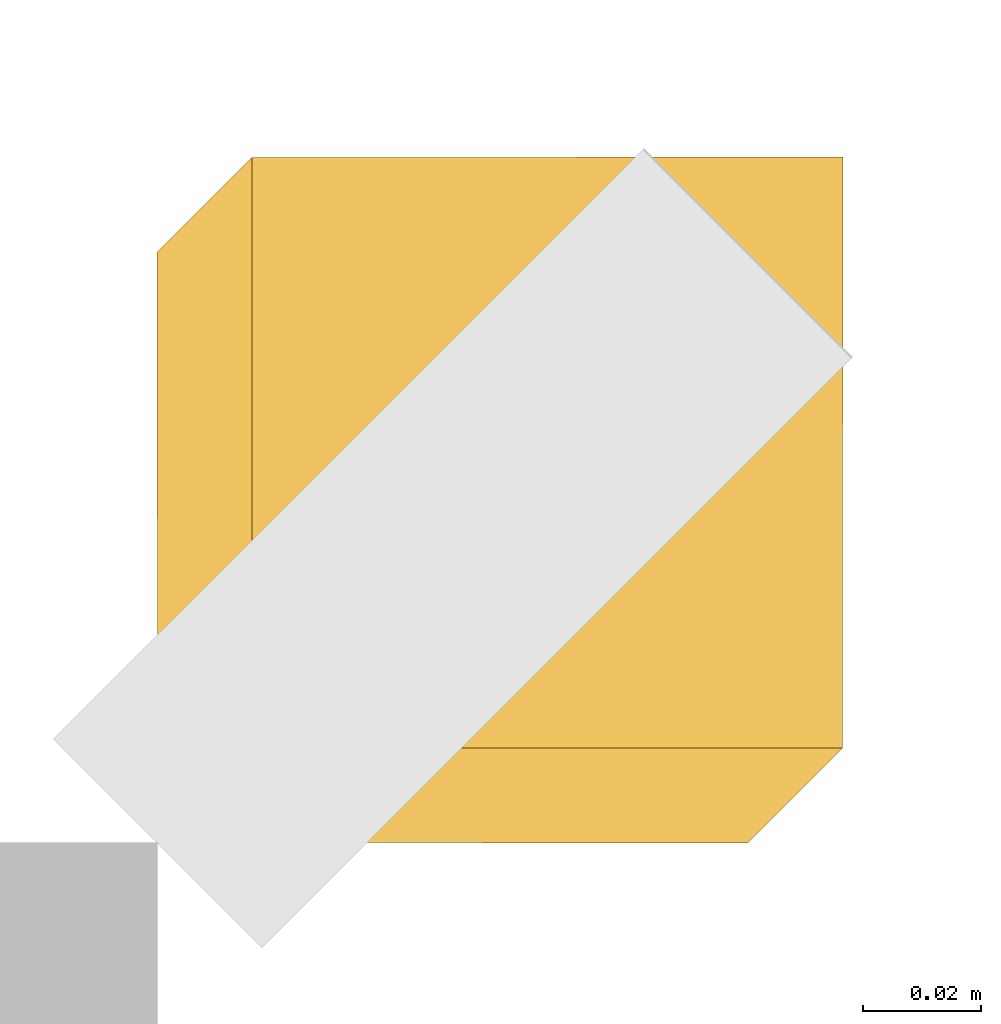
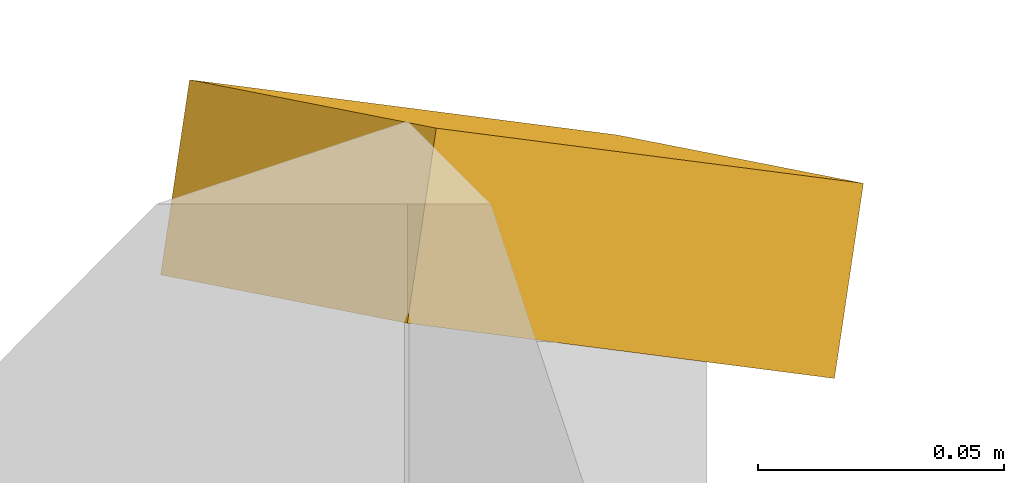
# One storey, part 36 of 38: 1 shading device.
"""IFC4 building model written with IfcOpenShell, lengths in metres."""

import ifcopenshell
import ifcopenshell.guid

model = None  # the IFC model being written
_history = None  # IfcOwnerHistory: only IFC2X3 demands one
_inside = {}  # id of a spatial element -> (the spatial element, [elements in it])
_under = {}  # id of a project, library or spatial element -> (it, [spatial elements below it])
_declared = {}  # id of a project -> (the project, [libraries it declares])
_typed = {}  # id of a type object -> (the type object, [elements of that type])
_made_of = {}  # id of a material, layer set ... -> (it, [elements and type objects made of it])


def new_model(schema):
    """Start an empty IFC model of exactly this schema.

    Asked for "IFC4X3", IfcOpenShell would pick the latest addendum, in which some entities
    have other attributes; the version numbers below select the first issue.
    IFC2X3 requires an IfcOwnerHistory on every rooted entity: one is made here for all.
    """
    global model, _history
    if schema == "IFC4X3":
        model = ifcopenshell.file(schema_version=(4, 3, 0, 0))
    else:
        model = ifcopenshell.file(schema=schema)
    _inside.clear()
    _under.clear()
    _declared.clear()
    _typed.clear()
    _made_of.clear()
    _history = None
    if model.schema == "IFC2X3":
        org = make("IfcOrganization", Name="unknown")
        user = make(
            "IfcPersonAndOrganization",
            ThePerson=make("IfcPerson", FamilyName="unknown"),
            TheOrganization=org,
        )
        app = make(
            "IfcApplication",
            ApplicationDeveloper=org,
            Version="unknown",
            ApplicationFullName="unknown",
            ApplicationIdentifier="unknown",
        )
        _history = make(
            "IfcOwnerHistory",
            OwningUser=user,
            OwningApplication=app,
            ChangeAction="ADDED",
            CreationDate=0,
        )
    return model


def make(cls, **values):
    """One entity of the class cls with the attributes given. An attribute that is None is left unset."""
    return model.create_entity(
        cls, **{name: value for name, value in values.items() if value is not None}
    )


def rooted(cls, **values):
    """An entity with a GlobalId (a new one), such as an element, a storey or a relation."""
    return make(cls, GlobalId=ifcopenshell.guid.new(), OwnerHistory=_history, **values)


def si_unit(unit_type, name, prefix=None):
    """IfcSIUnit, for example si_unit("LENGTHUNIT", "METRE", prefix="MILLI")."""
    return make("IfcSIUnit", UnitType=unit_type, Prefix=prefix, Name=name)


def assignment(units):
    """IfcUnitAssignment: the units of a project."""
    return None if units is None else make("IfcUnitAssignment", Units=units)


def point(xyz):
    """IfcCartesianPoint."""
    return None if xyz is None else make("IfcCartesianPoint", Coordinates=xyz)


def direction(xyz):
    """IfcDirection."""
    return None if xyz is None else make("IfcDirection", DirectionRatios=xyz)


def frame(location, z_axis=None, x_axis=None):
    """IfcAxis2Placement3D, a coordinate frame: its origin and axes. An axis left out is left unset."""
    return make(
        "IfcAxis2Placement3D",
        Location=point(location),
        Axis=direction(z_axis),
        RefDirection=direction(x_axis),
    )


def origin():
    """The frame at (0, 0, 0) with its axes left unset."""
    return frame((0.0, 0.0, 0.0))


def place(relative_to, where):
    """IfcLocalPlacement: puts the frame where relative to a parent placement (None: the world)."""
    return make(
        "IfcLocalPlacement", PlacementRelTo=relative_to, RelativePlacement=where
    )


def context(
    kind, dimensions, precision=None, world=None, true_north=None, identifier=None
):
    """IfcGeometricRepresentationContext, for example the 3D "Model" context."""
    return make(
        "IfcGeometricRepresentationContext",
        ContextIdentifier=identifier,
        ContextType=kind,
        CoordinateSpaceDimension=dimensions,
        Precision=precision,
        WorldCoordinateSystem=world,
        TrueNorth=true_north,
    )


def subcontext(parent, identifier, kind, view, scale=None):
    """IfcGeometricRepresentationSubContext, for example "Body" below "Model"."""
    return make(
        "IfcGeometricRepresentationSubContext",
        ContextIdentifier=identifier,
        ContextType=kind,
        ParentContext=parent,
        TargetScale=scale,
        TargetView=view,
    )


def project(units=None, contexts=None):
    """IfcProject with its units and contexts."""
    return rooted(
        "IfcProject",
        Name="project",
        RepresentationContexts=contexts,
        UnitsInContext=assignment(units),
    )


def spatial(cls, under=None, at=None, **own):
    """A site, building, storey or space (cls), placed at a placement, below another one or the project."""
    s = rooted(cls, ObjectPlacement=at, **own)
    if under is not None:
        _under.setdefault(under.id(), (under, []))[1].append(s)
    return s


def polyline(points):
    """IfcPolyline through the points."""
    return make("IfcPolyline", Points=[point(p) for p in points])


def outline(outer, holes=None, kind="AREA"):
    """IfcArbitraryClosedProfileDef: a profile drawn as a closed curve; with holes, ...WithVoids."""
    if holes is None:
        return make("IfcArbitraryClosedProfileDef", ProfileType=kind, OuterCurve=outer)
    return make(
        "IfcArbitraryProfileDefWithVoids",
        ProfileType=kind,
        OuterCurve=outer,
        InnerCurves=holes,
    )


def extrude(swept, where, along, depth):
    """IfcExtrudedAreaSolid: the profile swept, set in the frame where, extruded along a direction by depth."""
    return make(
        "IfcExtrudedAreaSolid",
        SweptArea=swept,
        Position=where,
        ExtrudedDirection=direction(along),
        Depth=depth,
    )


def shape(context_of_items, identifier, shape_type, items):
    """IfcShapeRepresentation: the items that make up one representation, for example the "Body"."""
    return make(
        "IfcShapeRepresentation",
        ContextOfItems=context_of_items,
        RepresentationIdentifier=identifier,
        RepresentationType=shape_type,
        Items=items,
    )


def material(Name=None, Category=None):
    """IfcMaterial."""
    return make("IfcMaterial", Name=Name, Category=Category)


def layer(
    of_material, thickness, ventilated=None, Name=None, Category=None, Priority=None
):
    """IfcMaterialLayer: one layer of a wall or slab, of a material (None: an air gap)."""
    return make(
        "IfcMaterialLayer",
        Material=of_material,
        LayerThickness=thickness,
        IsVentilated=ventilated,
        Name=Name,
        Category=Category,
        Priority=Priority,
    )


def layer_set(layers, Name=None):
    """IfcMaterialLayerSet."""
    return make("IfcMaterialLayerSet", MaterialLayers=layers, LayerSetName=Name)


def made_of(thing, what):
    """Note that an element or type object is made of a material, layer set ...; save() writes the relation."""
    if what is not None:
        _made_of.setdefault(what.id(), (what, []))[1].append(thing)
    return thing


def type_object(cls, material=None, **own):
    """A type object (cls), such as IfcWallType, which elements share."""
    return made_of(rooted(cls, **own), material)


def element(
    cls,
    number,
    at=None,
    inside=None,
    cuts=None,
    type_object=None,
    material=None,
    context=None,
    identifier="Body",
    shape_type=None,
    held_by="IfcProductDefinitionShape",
    body=None,
    shapes=None,
    **own,
):
    """One element of the class cls, such as IfcWall. Its Tag is "e" and its number.

    at: its placement. inside: the storey or other place that contains it. cuts: it is an
    opening in that element (IfcRelVoidsElement). A single representation is given by context,
    identifier, shape_type and body (its items); several are given by shapes. held_by: the class
    of the entity that holds the representations. save() writes the other relations.
    """
    e = rooted(cls, Tag="e%d" % number, ObjectPlacement=at, **own)
    if body is not None:
        shapes = [shape(context, identifier, shape_type, body)]
    if shapes is not None:
        e.Representation = make(held_by, Representations=shapes)
    if inside is not None:
        _inside.setdefault(inside.id(), (inside, []))[1].append(e)
    if cuts is not None:
        rooted(
            "IfcRelVoidsElement", RelatingBuildingElement=cuts, RelatedOpeningElement=e
        )
    if type_object is not None:
        _typed.setdefault(type_object.id(), (type_object, []))[1].append(e)
    return made_of(e, material)


def aggregate(whole, parts):
    """IfcRelAggregates: a whole, such as a stair, and the parts it consists of."""
    return rooted("IfcRelAggregates", RelatingObject=whole, RelatedObjects=parts)


def save(model, path):
    """Write the relations noted so far, then the file.

    IfcRelAggregates (storeys below a building ...), IfcRelContainedInSpatialStructure (elements
    in a storey), IfcRelDefinesByType, IfcRelAssociatesMaterial and IfcRelDeclares: one each for
    every whole, place, type object, material and project.
    """
    for whole, parts in _under.values():
        aggregate(whole, parts)
    for where, things in _inside.values():
        rooted(
            "IfcRelContainedInSpatialStructure",
            RelatedElements=things,
            RelatingStructure=where,
        )
    for kind, things in _typed.values():
        rooted("IfcRelDefinesByType", RelatedObjects=things, RelatingType=kind)
    for what, things in _made_of.values():
        rooted("IfcRelAssociatesMaterial", RelatedObjects=things, RelatingMaterial=what)
    for by, libraries in _declared.values():
        rooted("IfcRelDeclares", RelatingContext=by, RelatedDefinitions=libraries)
    model.write(path)


model = new_model("IFC4")

# Units and contexts
model_context = context("Model", 3, precision=1e-05, world=origin(), true_north=direction((0.0, 1.0)))
body_context = subcontext(model_context, "Body", "Model", "MODEL_VIEW")
ifc_project = project(units=[si_unit("LENGTHUNIT", "METRE"), si_unit("AREAUNIT", "SQUARE_METRE"), si_unit("VOLUMEUNIT", "CUBIC_METRE"), si_unit("PLANEANGLEUNIT", "RADIAN"), si_unit("MASSUNIT", "GRAM", prefix="KILO")], contexts=[model_context])

# Site, building, storey
site_placement = place(None, origin())
site = spatial("IfcSite", under=ifc_project, at=site_placement, CompositionType="ELEMENT")
building_placement = place(site_placement, origin())
building = spatial("IfcBuilding", under=site, at=building_placement, Name="Ussher Court Research Institute", CompositionType="ELEMENT")
storey_placement = place(building_placement, frame((0.0, 0.0, 23.39990234375)))
storey = spatial("IfcBuildingStorey", under=building, at=storey_placement, Name="L05", CompositionType="ELEMENT", Elevation=23.39990234375)

# Shading device
ifc_material = material(Name="Bronze anodised aluminium", Category="aluminium")
ifc_layer = layer(ifc_material, 0.0400390625)
ifc_layer_set = layer_set([ifc_layer], Name="Bronze anodised aluminium")
shading_device_type = type_object("IfcShadingDeviceType", Name="Brim visor sheet 40 mm canted 26 deg wet", PredefinedType="USERDEFINED", material=ifc_layer_set)
shading_device_placement = place(storey_placement, frame((104.216064453125, 33.216064453125, 4.48291015625), z_axis=(0.400847757571, 0.400847757571, 0.823797396512), x_axis=(0.899269394429, -0.000362285341, -0.437395044544)))
element("IfcShadingDevice", 1, at=shading_device_placement, inside=storey, type_object=shading_device_type, Name="Brim visor sheet BR1 L05", ObjectType="BRIM", PredefinedType="USERDEFINED", context=body_context, shape_type="SweptSolid", body=[
    extrude(outline(polyline([(0.0, 0.0), (0.11126515272958254, 0.0), (0.13258606872546647, 0.10931209908468126), (0.021214130096336967, 0.10922405822982874), (0.0, 0.0)])), origin(), (0.0, 0.0, -1.0), 0.0400390625),
])

save(model, "model.ifc")
